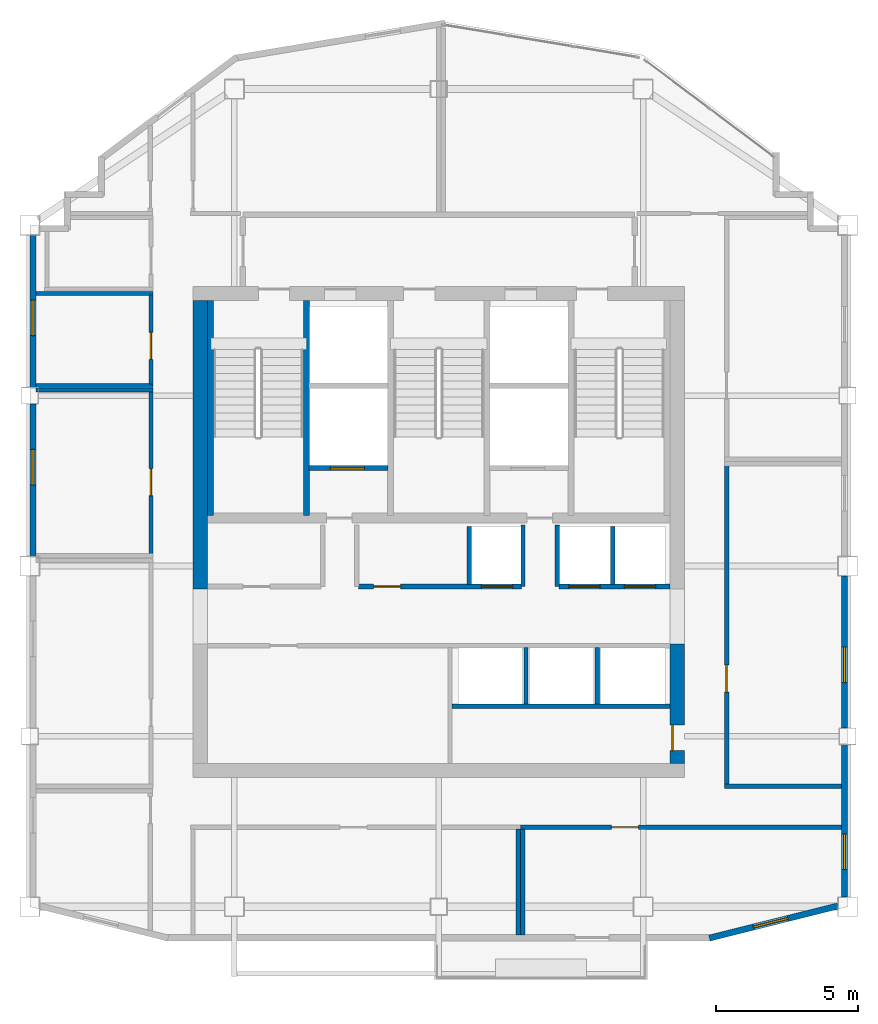
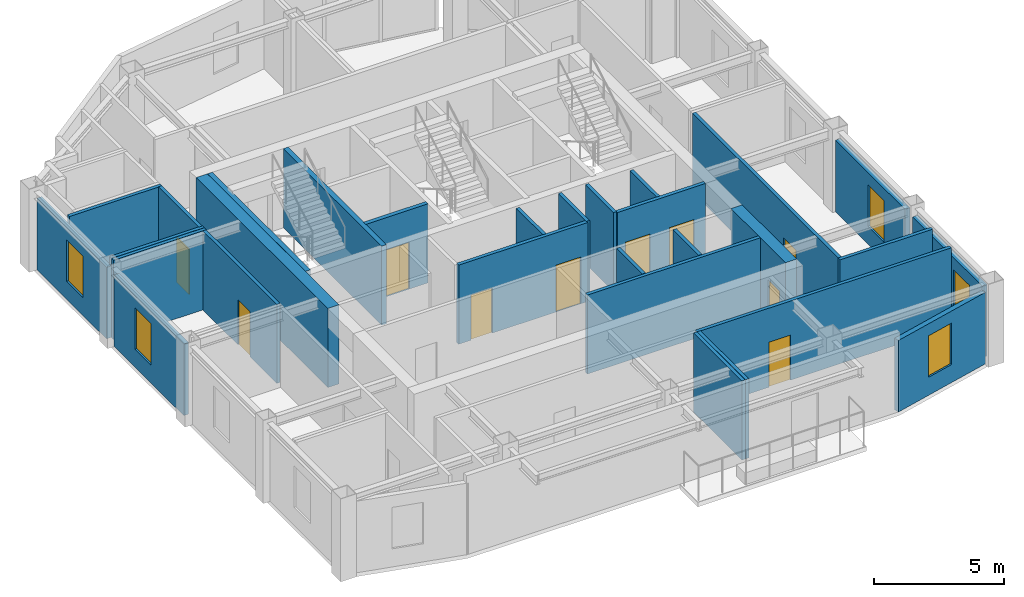
# One storey, part 5 of 8: 29 walls, 10 doors, 5 windows, 15 openings.
"""IFC4 building model written with IfcOpenShell, lengths in metres."""

from ifc_helpers import new_model, si_unit, direction, frame, frame_2d, origin, place, context, subcontext, project, spatial, rectangle, extrude, material, layer, layer_set, type_object, element, fill, save


model = new_model("IFC4")

# Units and contexts
model_context = context("Model", 3, precision=1e-05, world=origin(), true_north=direction((0.0, 1.0)))
body_context = subcontext(model_context, "Body", "Model", "MODEL_VIEW")
ifc_project = project(units=[si_unit("LENGTHUNIT", "METRE"), si_unit("AREAUNIT", "SQUARE_METRE"), si_unit("VOLUMEUNIT", "CUBIC_METRE"), si_unit("PLANEANGLEUNIT", "RADIAN"), si_unit("MASSUNIT", "GRAM", prefix="KILO")], contexts=[model_context])

# Site, building, storey
site_placement = place(None, origin())
site = spatial("IfcSite", under=ifc_project, at=site_placement, CompositionType="ELEMENT")
building_placement = place(site_placement, origin())
building = spatial("IfcBuilding", under=site, at=building_placement, Name="Haolan Belvedere Tower", CompositionType="ELEMENT")
storey_placement = place(building_placement, frame((0.0, 0.0, 305.60009765625)))
storey = spatial("IfcBuildingStorey", under=building, at=storey_placement, Name="L77", CompositionType="ELEMENT", Elevation=305.60009765625)

# Wall
ifc_material_1 = material(Name="Concrete C50/60", Category="concrete")
ifc_layer_1 = layer(ifc_material_1, 0.5, Name="Concrete C50/60")
ifc_layer_set_1 = layer_set([ifc_layer_1], Name="Concrete C50/60")
wall_type_1 = type_object("IfcWallType", Name="WL-CORE-500", PredefinedType="SHEAR", material=ifc_layer_set_1)
wall_1_placement = place(storey_placement, frame((30.0, 32.800048828125, 0.0), z_axis=(0.0, 0.0, 1.0), x_axis=(0.0, 1.0, 0.0)))
element("IfcWall", 1, at=wall_1_placement, inside=storey, type_object=wall_type_1, Name="L77 central core shear wall WN", PredefinedType="SHEAR", context=body_context, shape_type="SweptSolid", body=[
    extrude(rectangle(XDim=10.14990234375, YDim=0.5, at=frame_2d((5.074951171875, 0.0))), origin(), (0.0, 0.0, 1.0), 3.719970703125),
])

# Wall, opening, door
wall_2_placement = place(storey_placement, frame((46.800048828125, 26.64990234375, 0.0), z_axis=(0.0, 0.0, 1.0), x_axis=(0.0, 1.0, 0.0)))
wall_2 = element("IfcWall", 2, at=wall_2_placement, inside=storey, type_object=wall_type_1, Name="L77 central core shear wall ES", PredefinedType="SHEAR", context=body_context, shape_type="SweptSolid", body=[
    extrude(rectangle(XDim=4.2001953125, YDim=0.5, at=frame_2d((2.10009765625, 0.0))), origin(), (0.0, 0.0, 1.0), 3.719970703125),
])
opening_1_placement = place(wall_2_placement, frame((1.349853515625, 0.0, 0.0), z_axis=(0.0, 0.0, 1.0), x_axis=(-1.0, 0.0, 0.0)))
opening_1 = element("IfcOpeningElement", 3, at=opening_1_placement, cuts=wall_2, Name="Opening FD-05", PredefinedType="OPENING", context=body_context, shape_type="SweptSolid", body=[
    extrude(rectangle(XDim=0.89990234375, YDim=2.10009765625, at=frame_2d((0.449951171875, 1.050048828125))), frame((0.0, 0.260009765625, 0.0), z_axis=(0.0, -1.0, 0.0), x_axis=(1.0, 0.0, 0.0)), (0.0, 0.0, 1.0), 0.52001953125),
])
ifc_material_2 = material(Name="Galvanised fire-rated steel", Category="steel")
door_type_1 = type_object("IfcDoorType", Name="DR-FD60-900", OperationType="NOTDEFINED", PredefinedType="DOOR", material=ifc_material_2)
door_1_placement = place(opening_1_placement, origin())
door_1 = element("IfcDoor", 4, at=door_1_placement, inside=storey, type_object=door_type_1, Name="L77 door CD-L77-SCVE", OperationType="SINGLE_SWING_RIGHT", OverallHeight=2.10009765625, OverallWidth=0.89990234375, PredefinedType="DOOR", context=body_context, shape_type="SweptSolid", body=[
    extrude(rectangle(XDim=0.89990234375, YDim=2.10009765625, at=frame_2d((0.449951171875, 1.050048828125))), frame((0.0, -0.134765625, 0.0), z_axis=(0.0, -1.0, 0.0), x_axis=(1.0, 0.0, 0.0)), (0.0, 0.0, 1.0), 0.050048828125),
])
fill(opening_1, door_1)

# Wall, opening, window
ifc_material_3 = material(Name="Precast concrete C40/50", Category="concrete")
ifc_layer_2 = layer(ifc_material_3, 0.219970703125, Name="Precast concrete C40/50")
ifc_layer_set_2 = layer_set([ifc_layer_2], Name="Precast concrete C40/50")
wall_type_2 = type_object("IfcWallType", Name="WL-EXT-220", PredefinedType="SOLIDWALL", material=ifc_layer_set_2)
wall_3_placement = place(storey_placement, frame((47.93310546875, 20.49658203125, 0.0), z_axis=(0.0, 0.0, 1.0), x_axis=(0.970136341762, 0.242560257242, 0.0)))
wall_3 = element("IfcWall", 5, at=wall_3_placement, inside=storey, type_object=wall_type_2, Name="L77 pale-metal exterior spandrel wall 2.1", PredefinedType="SOLIDWALL", context=body_context, shape_type="SweptSolid", body=[
    extrude(rectangle(XDim=4.664306640625, YDim=0.219970703125, at=frame_2d((2.33203125, 0.0))), origin(), (0.0, 0.0, 1.0), 3.364990234375),
])
opening_2_placement = place(wall_3_placement, frame((1.60009765625, 0.0, 0.85009765625)))
opening_2 = element("IfcOpeningElement", 6, at=opening_2_placement, cuts=wall_3, Name="Opening W-04", PredefinedType="OPENING", context=body_context, shape_type="SweptSolid", body=[
    extrude(rectangle(XDim=1.25, YDim=1.949951171875, at=frame_2d((0.625, 0.97509765625))), frame((0.0, 0.119873046875, 0.0), z_axis=(0.0, -1.0, 0.0), x_axis=(1.0, 0.0, 0.0)), (0.0, 0.0, 1.0), 0.239990234375),
])
ifc_material_4 = material(Name="Anodised aluminium 6063-T6 and Low-E glass", Category="aluminium")
window_type = type_object("IfcWindowType", Name="WN-DECO-Z4", PartitioningType="SINGLE_PANEL", PredefinedType="WINDOW", material=ifc_material_4)
window_1_placement = place(opening_2_placement, origin())
window_1 = element("IfcWindow", 7, at=window_1_placement, inside=storey, type_object=window_type, Name="L77 Art Deco chevron window 1", OverallHeight=1.949951171875, OverallWidth=1.25, PartitioningType="SINGLE_PANEL", PredefinedType="WINDOW", context=body_context, shape_type="SweptSolid", body=[
    extrude(rectangle(XDim=1.25, YDim=1.949951171875, at=frame_2d((0.625, 0.97509765625))), frame((0.0, 0.030029296875, 0.0), z_axis=(0.0, -1.0, 0.0), x_axis=(1.0, 0.0, 0.0)), (0.0, 0.0, 1.0), 0.06005859375),
])
fill(opening_2, window_1)

wall_4_placement = place(storey_placement, frame((52.68994140625, 21.94189453125, 0.0), z_axis=(0.0, 0.0, 1.0), x_axis=(0.0, 1.0, 0.0)))
wall_4 = element("IfcWall", 8, at=wall_4_placement, inside=storey, type_object=wall_type_2, Name="L77 pale-metal exterior spandrel wall 3.1", PredefinedType="SOLIDWALL", context=body_context, shape_type="SweptSolid", body=[
    extrude(rectangle(XDim=5.3662109375, YDim=0.219970703125, at=frame_2d((2.68310546875, 0.0))), origin(), (0.0, 0.0, 1.0), 3.364990234375),
])
opening_3_placement = place(wall_4_placement, frame((0.972900390625, 0.0, 0.85009765625)))
opening_3 = element("IfcOpeningElement", 9, at=opening_3_placement, cuts=wall_4, Name="Opening W-04", PredefinedType="OPENING", context=body_context, shape_type="SweptSolid", body=[
    extrude(rectangle(XDim=1.25, YDim=1.949951171875, at=frame_2d((0.625, 0.97509765625))), frame((0.0, 0.119873046875, 0.0), z_axis=(0.0, -1.0, 0.0), x_axis=(1.0, 0.0, 0.0)), (0.0, 0.0, 1.0), 0.239990234375),
])
window_2_placement = place(opening_3_placement, origin())
window_2 = element("IfcWindow", 10, at=window_2_placement, inside=storey, type_object=window_type, Name="L77 Art Deco chevron window 1", OverallHeight=1.949951171875, OverallWidth=1.25, PartitioningType="SINGLE_PANEL", PredefinedType="WINDOW", context=body_context, shape_type="SweptSolid", body=[
    extrude(rectangle(XDim=1.25, YDim=1.949951171875, at=frame_2d((0.625, 0.97509765625))), frame((0.0, 0.030029296875, 0.0), z_axis=(0.0, -1.0, 0.0), x_axis=(1.0, 0.0, 0.0)), (0.0, 0.0, 1.0), 0.06005859375),
])
fill(opening_3, window_2)

wall_5_placement = place(storey_placement, frame((52.68994140625, 27.89208984375, 0.0), z_axis=(0.0, 0.0, 1.0), x_axis=(0.0, 1.0, 0.0)))
wall_5 = element("IfcWall", 11, at=wall_5_placement, inside=storey, type_object=wall_type_2, Name="L77 pale-metal exterior spandrel wall 3.2", PredefinedType="SOLIDWALL", context=body_context, shape_type="SweptSolid", body=[
    extrude(rectangle(XDim=5.365966796875, YDim=0.219970703125, at=frame_2d((2.68310546875, 0.0))), origin(), (0.0, 0.0, 1.0), 3.364990234375),
])
opening_4_placement = place(wall_5_placement, frame((1.60009765625, 0.0, 0.85009765625)))
opening_4 = element("IfcOpeningElement", 12, at=opening_4_placement, cuts=wall_5, Name="Opening W-04", PredefinedType="OPENING", context=body_context, shape_type="SweptSolid", body=[
    extrude(rectangle(XDim=1.25, YDim=1.949951171875, at=frame_2d((0.625, 0.97509765625))), frame((0.0, 0.119873046875, 0.0), z_axis=(0.0, -1.0, 0.0), x_axis=(1.0, 0.0, 0.0)), (0.0, 0.0, 1.0), 0.239990234375),
])
window_3_placement = place(opening_4_placement, origin())
window_3 = element("IfcWindow", 13, at=window_3_placement, inside=storey, type_object=window_type, Name="L77 Art Deco chevron window 1", OverallHeight=1.949951171875, OverallWidth=1.25, PartitioningType="SINGLE_PANEL", PredefinedType="WINDOW", context=body_context, shape_type="SweptSolid", body=[
    extrude(rectangle(XDim=1.25, YDim=1.949951171875, at=frame_2d((0.625, 0.97509765625))), frame((0.0, 0.030029296875, 0.0), z_axis=(0.0, -1.0, 0.0), x_axis=(1.0, 0.0, 0.0)), (0.0, 0.0, 1.0), 0.06005859375),
])
fill(opening_4, window_3)

wall_6_placement = place(storey_placement, frame((24.110107421875, 45.258056640625, 0.0), z_axis=(0.0, 0.0, 1.0), x_axis=(0.0, -1.0, 0.0)))
wall_6 = element("IfcWall", 14, at=wall_6_placement, inside=storey, type_object=wall_type_2, Name="L77 pale-metal exterior spandrel wall 16.1", PredefinedType="SOLIDWALL", context=body_context, shape_type="SweptSolid", body=[
    extrude(rectangle(XDim=5.365966796875, YDim=0.219970703125, at=frame_2d((2.68310546875, 0.0))), origin(), (0.0, 0.0, 1.0), 3.364990234375),
])
opening_5_placement = place(wall_6_placement, frame((2.29296875, 0.0, 0.85009765625)))
opening_5 = element("IfcOpeningElement", 15, at=opening_5_placement, cuts=wall_6, Name="Opening W-04", PredefinedType="OPENING", context=body_context, shape_type="SweptSolid", body=[
    extrude(rectangle(XDim=1.25, YDim=1.949951171875, at=frame_2d((0.625, 0.97509765625))), frame((0.0, 0.119873046875, 0.0), z_axis=(0.0, -1.0, 0.0), x_axis=(1.0, 0.0, 0.0)), (0.0, 0.0, 1.0), 0.239990234375),
])
window_4_placement = place(opening_5_placement, origin())
window_4 = element("IfcWindow", 16, at=window_4_placement, inside=storey, type_object=window_type, Name="L77 Art Deco chevron window 1", OverallHeight=1.949951171875, OverallWidth=1.25, PartitioningType="SINGLE_PANEL", PredefinedType="WINDOW", context=body_context, shape_type="SweptSolid", body=[
    extrude(rectangle(XDim=1.25, YDim=1.949951171875, at=frame_2d((0.625, 0.97509765625))), frame((0.0, 0.030029296875, 0.0), z_axis=(0.0, -1.0, 0.0), x_axis=(1.0, 0.0, 0.0)), (0.0, 0.0, 1.0), 0.06005859375),
])
fill(opening_5, window_4)

wall_7_placement = place(storey_placement, frame((24.110107421875, 39.30810546875, 0.0), z_axis=(0.0, 0.0, 1.0), x_axis=(0.0, -1.0, 0.0)))
wall_7 = element("IfcWall", 17, at=wall_7_placement, inside=storey, type_object=wall_type_2, Name="L77 pale-metal exterior spandrel wall 16.2", PredefinedType="SOLIDWALL", context=body_context, shape_type="SweptSolid", body=[
    extrude(rectangle(XDim=5.3662109375, YDim=0.219970703125, at=frame_2d((2.68310546875, 0.0))), origin(), (0.0, 0.0, 1.0), 3.364990234375),
])
opening_6_placement = place(wall_7_placement, frame((1.60009765625, 0.0, 0.85009765625)))
opening_6 = element("IfcOpeningElement", 18, at=opening_6_placement, cuts=wall_7, Name="Opening W-04", PredefinedType="OPENING", context=body_context, shape_type="SweptSolid", body=[
    extrude(rectangle(XDim=1.25, YDim=1.949951171875, at=frame_2d((0.625, 0.97509765625))), frame((0.0, 0.119873046875, 0.0), z_axis=(0.0, -1.0, 0.0), x_axis=(1.0, 0.0, 0.0)), (0.0, 0.0, 1.0), 0.239990234375),
])
window_5_placement = place(opening_6_placement, origin())
window_5 = element("IfcWindow", 19, at=window_5_placement, inside=storey, type_object=window_type, Name="L77 Art Deco chevron window 1", OverallHeight=1.949951171875, OverallWidth=1.25, PartitioningType="SINGLE_PANEL", PredefinedType="WINDOW", context=body_context, shape_type="SweptSolid", body=[
    extrude(rectangle(XDim=1.25, YDim=1.949951171875, at=frame_2d((0.625, 0.97509765625))), frame((0.0, 0.030029296875, 0.0), z_axis=(0.0, -1.0, 0.0), x_axis=(1.0, 0.0, 0.0)), (0.0, 0.0, 1.0), 0.06005859375),
])
fill(opening_6, window_5)

# Walls
ifc_material_5 = material(Name="Double gypsum acoustic stud partition", Category="masonry")
ifc_layer_3 = layer(ifc_material_5, 0.14990234375, Name="Double gypsum acoustic stud partition")
ifc_layer_set_3 = layer_set([ifc_layer_3], Name="Double gypsum acoustic stud partition")
wall_type_3 = type_object("IfcWallType", Name="WL-PART-150", PredefinedType="PARTITIONING", material=ifc_layer_set_3)
wall_8_placement = place(storey_placement, frame((38.860107421875, 28.659912109375, 0.0), z_axis=(0.0, 0.0, 1.0), x_axis=(1.0, 0.0, 0.0)))
element("IfcWall", 20, at=wall_8_placement, inside=storey, type_object=wall_type_3, Name="L77 interior partition IW-L77-SSTRIP-E", PredefinedType="PARTITIONING", context=body_context, shape_type="SweptSolid", body=[
    extrude(rectangle(XDim=7.68994140625, YDim=0.14990234375, at=frame_2d((3.844970703125, 0.0))), origin(), (0.0, 0.0, 1.0), 3.719970703125),
])
wall_9_placement = place(storey_placement, frame((24.2119140625, 39.800048828125, 0.0), z_axis=(0.0, 0.0, 1.0), x_axis=(1.0, 0.0, 0.0)))
element("IfcWall", 21, at=wall_9_placement, inside=storey, type_object=wall_type_3, Name="L77 interior partition IW-L77-PH-TERW-N", PredefinedType="PARTITIONING", context=body_context, shape_type="SweptSolid", body=[
    extrude(rectangle(XDim=4.128173828125, YDim=0.14990234375, at=frame_2d((2.06396484375, 0.0))), origin(), (0.0, 0.0, 1.0), 3.719970703125),
])

# Wall, opening, door
wall_10_placement = place(storey_placement, frame((28.260009765625, 34.02001953125, 0.0), z_axis=(0.0, 0.0, 1.0), x_axis=(0.0, 1.0, 0.0)))
wall_10 = element("IfcWall", 22, at=wall_10_placement, inside=storey, type_object=wall_type_3, Name="L77 interior partition IW-L77-PH-TERW-E", PredefinedType="PARTITIONING", context=body_context, shape_type="SweptSolid", body=[
    extrude(rectangle(XDim=5.719970703125, YDim=0.14990234375, at=frame_2d((2.85986328125, 0.0))), origin(), (0.0, 0.0, 1.0), 3.719970703125),
])
opening_7_placement = place(wall_10_placement, frame((3.010009765625, 0.0, 0.0), z_axis=(0.0, 0.0, 1.0), x_axis=(-1.0, 0.0, 0.0)))
opening_7 = element("IfcOpeningElement", 23, at=opening_7_placement, cuts=wall_10, Name="Opening ID-03", PredefinedType="OPENING", context=body_context, shape_type="SweptSolid", body=[
    extrude(rectangle(XDim=0.949951171875, YDim=2.1201171875, at=frame_2d((0.47509765625, 1.06005859375))), frame((0.0, 0.0849609375, 0.0), z_axis=(0.0, -1.0, 0.0), x_axis=(1.0, 0.0, 0.0)), (0.0, 0.0, 1.0), 0.169921875),
])
ifc_material_6 = material(Name="Painted solid-core timber", Category="wood")
door_type_2 = type_object("IfcDoorType", Name="DR-INT-950", OperationType="NOTDEFINED", PredefinedType="DOOR", material=ifc_material_6)
door_2_placement = place(opening_7_placement, origin())
door_2 = element("IfcDoor", 24, at=door_2_placement, inside=storey, type_object=door_type_2, Name="L77 door ID-L77-PH-TERW", OperationType="SINGLE_SWING_RIGHT", OverallHeight=2.1201171875, OverallWidth=0.949951171875, PredefinedType="DOOR", context=body_context, shape_type="SweptSolid", body=[
    extrude(rectangle(XDim=0.949951171875, YDim=2.1201171875, at=frame_2d((0.47509765625, 1.06005859375))), frame((0.0, 0.02490234375, 0.0), z_axis=(0.0, -1.0, 0.0), x_axis=(1.0, 0.0, 0.0)), (0.0, 0.0, 1.0), 0.050048828125),
])
fill(opening_7, door_2)

# Walls
for number, where, z_axis, x_axis, name in (
    (25, (24.2119140625, 43.199951171875, 0.0), (0.0, 0.0, 1.0), (1.0, 0.0, 0.0), "L77 interior partition IW-L77-PH-STYW-N"),
    (26, (24.2119140625, 39.9599609375, 0.0), (0.0, 0.0, 1.0), (1.0, 0.0, 0.0), "L77 interior partition IW-L77-PH-STYW-S"),
):
    element("IfcWall", number, at=place(storey_placement, frame(where, z_axis=z_axis, x_axis=x_axis)), inside=storey, type_object=wall_type_3, Name=name, PredefinedType="PARTITIONING", context=body_context, shape_type="SweptSolid", body=[
        extrude(rectangle(XDim=4.128173828125, YDim=0.14990234375, at=frame_2d((2.06396484375, 0.0))), origin(), (0.0, 0.0, 1.0), 3.719970703125),
    ])

# Wall, opening, door
wall_11_placement = place(storey_placement, frame((28.260009765625, 40.02001953125, 0.0), z_axis=(0.0, 0.0, 1.0), x_axis=(0.0, 1.0, 0.0)))
wall_11 = element("IfcWall", 27, at=wall_11_placement, inside=storey, type_object=wall_type_3, Name="L77 interior partition IW-L77-PH-STYW-E", PredefinedType="PARTITIONING", context=body_context, shape_type="SweptSolid", body=[
    extrude(rectangle(XDim=3.119873046875, YDim=0.14990234375, at=frame_2d((1.56005859375, 0.0))), origin(), (0.0, 0.0, 1.0), 3.719970703125),
])
opening_8_placement = place(wall_11_placement, frame((1.81005859375, 0.0, 0.0), z_axis=(0.0, 0.0, 1.0), x_axis=(-1.0, 0.0, 0.0)))
opening_8 = element("IfcOpeningElement", 28, at=opening_8_placement, cuts=wall_11, Name="Opening ID-03", PredefinedType="OPENING", context=body_context, shape_type="SweptSolid", body=[
    extrude(rectangle(XDim=0.949951171875, YDim=2.1201171875, at=frame_2d((0.47509765625, 1.06005859375))), frame((0.0, 0.0849609375, 0.0), z_axis=(0.0, -1.0, 0.0), x_axis=(1.0, 0.0, 0.0)), (0.0, 0.0, 1.0), 0.169921875),
])
door_3_placement = place(opening_8_placement, origin())
door_3 = element("IfcDoor", 29, at=door_3_placement, inside=storey, type_object=door_type_2, Name="L77 door ID-L77-PH-STYW", OperationType="SINGLE_SWING_LEFT", OverallHeight=2.1201171875, OverallWidth=0.949951171875, PredefinedType="DOOR", context=body_context, shape_type="SweptSolid", body=[
    extrude(rectangle(XDim=0.949951171875, YDim=2.1201171875, at=frame_2d((0.47509765625, 1.06005859375))), frame((0.0, 0.02490234375, 0.0), z_axis=(0.0, -1.0, 0.0), x_axis=(1.0, 0.0, 0.0)), (0.0, 0.0, 1.0), 0.050048828125),
])
fill(opening_8, door_3)

# Wall
wall_12_placement = place(storey_placement, frame((48.4599609375, 25.840087890625, 0.0), z_axis=(0.0, 0.0, 1.0), x_axis=(1.0, 0.0, 0.0)))
element("IfcWall", 30, at=wall_12_placement, inside=storey, type_object=wall_type_3, Name="L77 interior partition IW-L77-PH-BRDE-S", PredefinedType="PARTITIONING", context=body_context, shape_type="SweptSolid", body=[
    extrude(rectangle(XDim=4.1279296875, YDim=0.14990234375, at=frame_2d((2.06396484375, 0.0))), origin(), (0.0, 0.0, 1.0), 3.719970703125),
])

# Wall, opening, door
wall_13_placement = place(storey_placement, frame((48.5400390625, 25.89990234375, 0.0), z_axis=(0.0, 0.0, 1.0), x_axis=(0.0, 1.0, 0.0)))
wall_13 = element("IfcWall", 31, at=wall_13_placement, inside=storey, type_object=wall_type_3, Name="L77 interior partition IW-L77-PH-BRDE-W", PredefinedType="PARTITIONING", context=body_context, shape_type="SweptSolid", body=[
    extrude(rectangle(XDim=11.239990234375, YDim=0.14990234375, at=frame_2d((5.6201171875, 0.0))), origin(), (0.0, 0.0, 1.0), 3.719970703125),
])
opening_9_placement = place(wall_13_placement, frame((3.260009765625, 0.0, 0.0)))
opening_9 = element("IfcOpeningElement", 32, at=opening_9_placement, cuts=wall_13, Name="Opening ID-03", PredefinedType="OPENING", context=body_context, shape_type="SweptSolid", body=[
    extrude(rectangle(XDim=0.949951171875, YDim=2.1201171875, at=frame_2d((0.47509765625, 1.06005859375))), frame((0.0, 0.0849609375, 0.0), z_axis=(0.0, -1.0, 0.0), x_axis=(1.0, 0.0, 0.0)), (0.0, 0.0, 1.0), 0.169921875),
])
door_4_placement = place(opening_9_placement, origin())
door_4 = element("IfcDoor", 33, at=door_4_placement, inside=storey, type_object=door_type_2, Name="L77 door ID-L77-PH-BRDE", OperationType="SINGLE_SWING_RIGHT", OverallHeight=2.1201171875, OverallWidth=0.949951171875, PredefinedType="DOOR", context=body_context, shape_type="SweptSolid", body=[
    extrude(rectangle(XDim=0.949951171875, YDim=2.1201171875, at=frame_2d((0.47509765625, 1.06005859375))), frame((0.0, 0.02490234375, 0.0), z_axis=(0.0, -1.0, 0.0), x_axis=(1.0, 0.0, 0.0)), (0.0, 0.0, 1.0), 0.050048828125),
])
fill(opening_9, door_4)

# Wall
wall_14_placement = place(storey_placement, frame((41.199951171875, 20.612060546875, 0.0), z_axis=(0.0, 0.0, 1.0), x_axis=(0.0, 1.0, 0.0)))
element("IfcWall", 34, at=wall_14_placement, inside=storey, type_object=wall_type_3, Name="L77 interior partition IW-L77-PHS1-E", PredefinedType="PARTITIONING", context=body_context, shape_type="SweptSolid", body=[
    extrude(rectangle(XDim=3.72802734375, YDim=0.14990234375, at=frame_2d((1.864013671875, 0.0))), origin(), (0.0, 0.0, 1.0), 3.719970703125),
])

# Wall, opening, door
wall_15_placement = place(storey_placement, frame((41.281982421875, 24.39990234375, 0.0), z_axis=(0.0, 0.0, 1.0), x_axis=(1.0, 0.0, 0.0)))
wall_15 = element("IfcWall", 35, at=wall_15_placement, inside=storey, type_object=wall_type_3, Name="L77 interior partition IW-L77-PH-BNQ-N", PredefinedType="PARTITIONING", context=body_context, shape_type="SweptSolid", body=[
    extrude(rectangle(XDim=11.305908203125, YDim=0.14990234375, at=frame_2d((5.65283203125, 0.0))), origin(), (0.0, 0.0, 1.0), 3.719970703125),
])
opening_10_placement = place(wall_15_placement, frame((4.14794921875, 0.0, 0.0), z_axis=(0.0, 0.0, 1.0), x_axis=(-1.0, 0.0, 0.0)))
opening_10 = element("IfcOpeningElement", 36, at=opening_10_placement, cuts=wall_15, Name="Opening ID-03", PredefinedType="OPENING", context=body_context, shape_type="SweptSolid", body=[
    extrude(rectangle(XDim=0.949951171875, YDim=2.1201171875, at=frame_2d((0.47509765625, 1.06005859375))), frame((0.0, 0.0849609375, 0.0), z_axis=(0.0, -1.0, 0.0), x_axis=(1.0, 0.0, 0.0)), (0.0, 0.0, 1.0), 0.169921875),
])
door_5_placement = place(opening_10_placement, origin())
door_5 = element("IfcDoor", 37, at=door_5_placement, inside=storey, type_object=door_type_2, Name="L77 door ID-L77-PH-BNQ", OperationType="SINGLE_SWING_RIGHT", OverallHeight=2.1201171875, OverallWidth=0.949951171875, PredefinedType="DOOR", context=body_context, shape_type="SweptSolid", body=[
    extrude(rectangle(XDim=0.949951171875, YDim=2.1201171875, at=frame_2d((0.47509765625, 1.06005859375))), frame((0.0, 0.02490234375, 0.0), z_axis=(0.0, -1.0, 0.0), x_axis=(1.0, 0.0, 0.0)), (0.0, 0.0, 1.0), 0.050048828125),
])
fill(opening_10, door_5)

# Walls
wall_16_placement = place(storey_placement, frame((41.360107421875, 20.612060546875, 0.0), z_axis=(0.0, 0.0, 1.0), x_axis=(0.0, 1.0, 0.0)))
element("IfcWall", 38, at=wall_16_placement, inside=storey, type_object=wall_type_3, Name="L77 interior partition IW-L77-PH-BNQ-W", PredefinedType="PARTITIONING", context=body_context, shape_type="SweptSolid", body=[
    extrude(rectangle(XDim=3.72802734375, YDim=0.14990234375, at=frame_2d((1.864013671875, 0.0))), origin(), (0.0, 0.0, 1.0), 3.719970703125),
])
ifc_material_7 = material(Name="Gypsum fire shaftwall assembly", Category="masonry")
ifc_layer_4 = layer(ifc_material_7, 0.1650390625, Name="Gypsum fire shaftwall assembly")
ifc_layer_set_4 = layer_set([ifc_layer_4], Name="Gypsum fire shaftwall assembly")
wall_type_4 = type_object("IfcWallType", Name="WL-SHAFT-160", PredefinedType="SOLIDWALL", material=ifc_layer_set_4)
for number, where, z_axis, x_axis, name in (
    (39, (41.3701171875, 32.8798828125, 0.0), (0.0, 0.0, 1.0), (0.0, 1.0, 0.0), "L77 interior partition IW-L77-SVP-W-SV2"),
    (40, (42.570068359375, 32.8798828125, 0.0), (0.0, 0.0, 1.0), (0.0, 1.0, 0.0), "L77 interior partition IW-L77-SVP-E-SV2"),
):
    element("IfcWall", number, at=place(storey_placement, frame(where, z_axis=z_axis, x_axis=x_axis)), inside=storey, type_object=wall_type_4, Name=name, PredefinedType="SOLIDWALL", context=body_context, shape_type="SweptSolid", body=[
        extrude(rectangle(XDim=2.170166015625, YDim=0.14990234375, at=frame_2d((1.0849609375, 0.0))), origin(), (0.0, 0.0, 1.0), 3.719970703125),
    ])

# Wall, openings, doors
wall_17_placement = place(storey_placement, frame((35.570068359375, 32.8798828125, 0.0), z_axis=(0.0, 0.0, 1.0), x_axis=(1.0, 0.0, 0.0)))
wall_17 = element("IfcWall", 41, at=wall_17_placement, inside=storey, type_object=wall_type_4, Name="L77 interior partition IW-L77-ROW-PN2", PredefinedType="SOLIDWALL", context=body_context, shape_type="SweptSolid", body=[
    extrude(rectangle(XDim=5.739990234375, YDim=0.159912109375, at=frame_2d((2.8701171875, 0.0))), origin(), (0.0, 0.0, 1.0), 3.719970703125),
])
opening_11_placement = place(wall_17_placement, frame((1.489990234375, 0.0, 0.0), z_axis=(0.0, 0.0, 1.0), x_axis=(-1.0, 0.0, 0.0)))
opening_11 = element("IfcOpeningElement", 42, at=opening_11_placement, cuts=wall_17, Name="Opening ID-03", PredefinedType="OPENING", context=body_context, shape_type="SweptSolid", body=[
    extrude(rectangle(XDim=0.949951171875, YDim=2.1201171875, at=frame_2d((0.47509765625, 1.06005859375))), frame((0.0, 0.08984375, 0.0), z_axis=(0.0, -1.0, 0.0), x_axis=(1.0, 0.0, 0.0)), (0.0, 0.0, 1.0), 0.179931640625),
])
opening_12_placement = place(wall_17_placement, frame((5.43017578125, 0.0, 0.0), z_axis=(0.0, 0.0, 1.0), x_axis=(-1.0, 0.0, 0.0)))
opening_12 = element("IfcOpeningElement", 43, at=opening_12_placement, cuts=wall_17, Name="Opening LD-01", PredefinedType="OPENING", context=body_context, shape_type="SweptSolid", body=[
    extrude(rectangle(XDim=1.10009765625, YDim=2.199951171875, at=frame_2d((0.550048828125, 1.10009765625))), frame((0.0, 0.08984375, 0.0), z_axis=(0.0, -1.0, 0.0), x_axis=(1.0, 0.0, 0.0)), (0.0, 0.0, 1.0), 0.179931640625),
])
door_6_placement = place(opening_11_placement, origin())
door_6 = element("IfcDoor", 44, at=door_6_placement, inside=storey, type_object=door_type_2, Name="L77 door ID-L77-CD-RPLE", OperationType="SINGLE_SWING_RIGHT", OverallHeight=2.1201171875, OverallWidth=0.949951171875, PredefinedType="DOOR", context=body_context, shape_type="SweptSolid", body=[
    extrude(rectangle(XDim=0.949951171875, YDim=2.1201171875, at=frame_2d((0.47509765625, 1.06005859375))), frame((0.0, 0.02490234375, 0.0), z_axis=(0.0, -1.0, 0.0), x_axis=(1.0, 0.0, 0.0)), (0.0, 0.0, 1.0), 0.050048828125),
])
fill(opening_11, door_6)
ifc_material_8 = material(Name="Brushed champagne stainless steel 316L", Category="steel")
door_type_3 = type_object("IfcDoorType", Name="DR-LIFT-1100", OperationType="SLIDING_TO_LEFT", PredefinedType="DOOR", material=ifc_material_8)
door_7_placement = place(opening_12_placement, origin())
door_7 = element("IfcDoor", 45, at=door_7_placement, inside=storey, type_object=door_type_3, Name="L77 door ID-L77-LD-PH1", OperationType="SLIDING_TO_RIGHT", OverallHeight=2.199951171875, OverallWidth=1.10009765625, PredefinedType="DOOR", context=body_context, shape_type="SweptSolid", body=[
    extrude(rectangle(XDim=1.10009765625, YDim=2.199951171875, at=frame_2d((0.550048828125, 1.10009765625))), frame((0.0, 0.02490234375, 0.0), z_axis=(0.0, -1.0, 0.0), x_axis=(1.0, 0.0, 0.0)), (0.0, 0.0, 1.0), 0.050048828125),
])
fill(opening_12, door_7)

wall_18_placement = place(storey_placement, frame((42.6298828125, 32.8798828125, 0.0), z_axis=(0.0, 0.0, 1.0), x_axis=(1.0, 0.0, 0.0)))
wall_18 = element("IfcWall", 46, at=wall_18_placement, inside=storey, type_object=wall_type_4, Name="L77 interior partition IW-L77-ROW-PN3", PredefinedType="SOLIDWALL", context=body_context, shape_type="SweptSolid", body=[
    extrude(rectangle(XDim=3.920166015625, YDim=0.159912109375, at=frame_2d((1.9599609375, 0.0))), origin(), (0.0, 0.0, 1.0), 3.719970703125),
])
opening_13_placement = place(wall_18_placement, frame((1.4501953125, 0.0, 0.0), z_axis=(0.0, 0.0, 1.0), x_axis=(-1.0, 0.0, 0.0)))
opening_13 = element("IfcOpeningElement", 47, at=opening_13_placement, cuts=wall_18, Name="Opening LD-01", PredefinedType="OPENING", context=body_context, shape_type="SweptSolid", body=[
    extrude(rectangle(XDim=1.10009765625, YDim=2.199951171875, at=frame_2d((0.550048828125, 1.10009765625))), frame((0.0, 0.08984375, 0.0), z_axis=(0.0, -1.0, 0.0), x_axis=(1.0, 0.0, 0.0)), (0.0, 0.0, 1.0), 0.179931640625),
])
opening_14_placement = place(wall_18_placement, frame((3.41015625, 0.0, 0.0), z_axis=(0.0, 0.0, 1.0), x_axis=(-1.0, 0.0, 0.0)))
opening_14 = element("IfcOpeningElement", 48, at=opening_14_placement, cuts=wall_18, Name="Opening LD-01", PredefinedType="OPENING", context=body_context, shape_type="SweptSolid", body=[
    extrude(rectangle(XDim=1.10009765625, YDim=2.199951171875, at=frame_2d((0.550048828125, 1.10009765625))), frame((0.0, 0.08984375, 0.0), z_axis=(0.0, -1.0, 0.0), x_axis=(1.0, 0.0, 0.0)), (0.0, 0.0, 1.0), 0.179931640625),
])
door_8_placement = place(opening_13_placement, origin())
door_8 = element("IfcDoor", 49, at=door_8_placement, inside=storey, type_object=door_type_3, Name="L77 door ID-L77-LD-PH2", OperationType="SLIDING_TO_RIGHT", OverallHeight=2.199951171875, OverallWidth=1.10009765625, PredefinedType="DOOR", context=body_context, shape_type="SweptSolid", body=[
    extrude(rectangle(XDim=1.10009765625, YDim=2.199951171875, at=frame_2d((0.550048828125, 1.10009765625))), frame((0.0, 0.02490234375, 0.0), z_axis=(0.0, -1.0, 0.0), x_axis=(1.0, 0.0, 0.0)), (0.0, 0.0, 1.0), 0.050048828125),
])
fill(opening_13, door_8)
door_9_placement = place(opening_14_placement, origin())
door_9 = element("IfcDoor", 50, at=door_9_placement, inside=storey, type_object=door_type_3, Name="L77 door ID-L77-LD-PH3", OperationType="SLIDING_TO_RIGHT", OverallHeight=2.199951171875, OverallWidth=1.10009765625, PredefinedType="DOOR", context=body_context, shape_type="SweptSolid", body=[
    extrude(rectangle(XDim=1.10009765625, YDim=2.199951171875, at=frame_2d((0.550048828125, 1.10009765625))), frame((0.0, 0.02490234375, 0.0), z_axis=(0.0, -1.0, 0.0), x_axis=(1.0, 0.0, 0.0)), (0.0, 0.0, 1.0), 0.050048828125),
])
fill(opening_14, door_9)

# Walls
for number, where, z_axis, x_axis, name in (
    (51, (39.469970703125, 32.949951171875, 0.0), (0.0, 0.0, 1.0), (0.0, 1.0, 0.0), "L77 interior partition IW-L77-DIV-PL4R"),
    (52, (44.530029296875, 32.949951171875, 0.0), (0.0, 0.0, 1.0), (0.0, 1.0, 0.0), "L77 interior partition IW-L77-DIV-PH2"),
):
    element("IfcWall", number, at=place(storey_placement, frame(where, z_axis=z_axis, x_axis=x_axis)), inside=storey, type_object=wall_type_4, Name=name, PredefinedType="SOLIDWALL", context=body_context, shape_type="SweptSolid", body=[
        extrude(rectangle(XDim=2.050048828125, YDim=0.14990234375, at=frame_2d((1.02490234375, 0.0))), origin(), (0.0, 0.0, 1.0), 3.719970703125),
    ])
for number, where, z_axis, x_axis, name in (
    (53, (41.469970703125, 28.75, 0.0), (0.0, 0.0, 1.0), (0.0, 1.0, 0.0), "L77 interior partition IW-L77-DIV-OB1"),
    (54, (43.97998046875, 28.75, 0.0), (0.0, 0.0, 1.0), (0.0, 1.0, 0.0), "L77 interior partition IW-L77-DIV-OB2"),
):
    element("IfcWall", number, at=place(storey_placement, frame(where, z_axis=z_axis, x_axis=x_axis)), inside=storey, type_object=wall_type_4, Name=name, PredefinedType="SOLIDWALL", context=body_context, shape_type="SweptSolid", body=[
        extrude(rectangle(XDim=1.985107421875, YDim=0.14990234375, at=frame_2d((0.99267578125, 0.0))), origin(), (0.0, 0.0, 1.0), 3.719970703125),
    ])

# Wall, opening, door
ifc_layer_5 = layer(ifc_material_3, 0.179931640625, Name="Precast concrete C40/50")
ifc_layer_set_5 = layer_set([ifc_layer_5], Name="Precast concrete C40/50")
wall_type_5 = type_object("IfcWallType", Name="WL-SHAFT-180", PredefinedType="SOLIDWALL", material=ifc_layer_set_5)
wall_19_placement = place(storey_placement, frame((33.8349609375, 37.050048828125, 0.0), z_axis=(0.0, 0.0, 1.0), x_axis=(1.0, 0.0, 0.0)))
wall_19 = element("IfcWall", 55, at=wall_19_placement, inside=storey, type_object=wall_type_5, Name="L77 interior partition IW-L77-SV1-S", PredefinedType="SOLIDWALL", context=body_context, shape_type="SweptSolid", body=[
    extrude(rectangle(XDim=2.77001953125, YDim=0.179931640625, at=frame_2d((1.385009765625, 0.0))), origin(), (0.0, 0.0, 1.0), 3.719970703125),
])
opening_15_placement = place(wall_19_placement, frame((1.945068359375, 0.0, 0.0), z_axis=(0.0, 0.0, 1.0), x_axis=(-1.0, 0.0, 0.0)))
opening_15 = element("IfcOpeningElement", 56, at=opening_15_placement, cuts=wall_19, Name="Opening LD-02", PredefinedType="OPENING", context=body_context, shape_type="SweptSolid", body=[
    extrude(rectangle(XDim=1.199951171875, YDim=2.199951171875, at=frame_2d((0.60009765625, 1.10009765625))), frame((0.0, 0.099853515625, 0.0), z_axis=(0.0, -1.0, 0.0), x_axis=(1.0, 0.0, 0.0)), (0.0, 0.0, 1.0), 0.199951171875),
])
door_type_4 = type_object("IfcDoorType", Name="DR-LIFT-1200", OperationType="SLIDING_TO_RIGHT", PredefinedType="DOOR", material=ifc_material_8)
door_10_placement = place(opening_15_placement, origin())
door_10 = element("IfcDoor", 57, at=door_10_placement, inside=storey, type_object=door_type_4, Name="L77 door ID-L77-LD-SV1", OperationType="SLIDING_TO_RIGHT", OverallHeight=2.199951171875, OverallWidth=1.199951171875, PredefinedType="DOOR", context=body_context, shape_type="SweptSolid", body=[
    extrude(rectangle(XDim=1.199951171875, YDim=2.199951171875, at=frame_2d((0.60009765625, 1.10009765625))), frame((0.0, 0.02490234375, 0.0), z_axis=(0.0, -1.0, 0.0), x_axis=(1.0, 0.0, 0.0)), (0.0, 0.0, 1.0), 0.050048828125),
])
fill(opening_15, door_10)

# Walls
ifc_layer_6 = layer(ifc_material_1, 0.219970703125, Name="Concrete C50/60")
ifc_layer_set_6 = layer_set([ifc_layer_6], Name="Concrete C50/60")
wall_type_6 = type_object("IfcWallType", Name="WL-STAIR-220", PredefinedType="SHEAR", material=ifc_layer_set_6)
for number, where, z_axis, x_axis, name in (
    (58, (30.362060546875, 35.389892578125, 0.0), (0.0, 0.0, 1.0), (0.0, 1.0, 0.0), "L77 structural stair core wall ST1W"),
    (59, (33.739990234375, 35.389892578125, 0.0), (0.0, 0.0, 1.0), (0.0, 1.0, 0.0), "L77 structural stair core wall ST1E"),
):
    element("IfcWall", number, at=place(storey_placement, frame(where, z_axis=z_axis, x_axis=x_axis)), inside=storey, type_object=wall_type_6, Name=name, PredefinedType="SHEAR", context=body_context, shape_type="SweptSolid", body=[
        extrude(rectangle(XDim=7.56005859375, YDim=0.219970703125, at=frame_2d((3.780029296875, 0.0))), origin(), (0.0, 0.0, 1.0), 3.719970703125),
    ])

save(model, "model.ifc")
